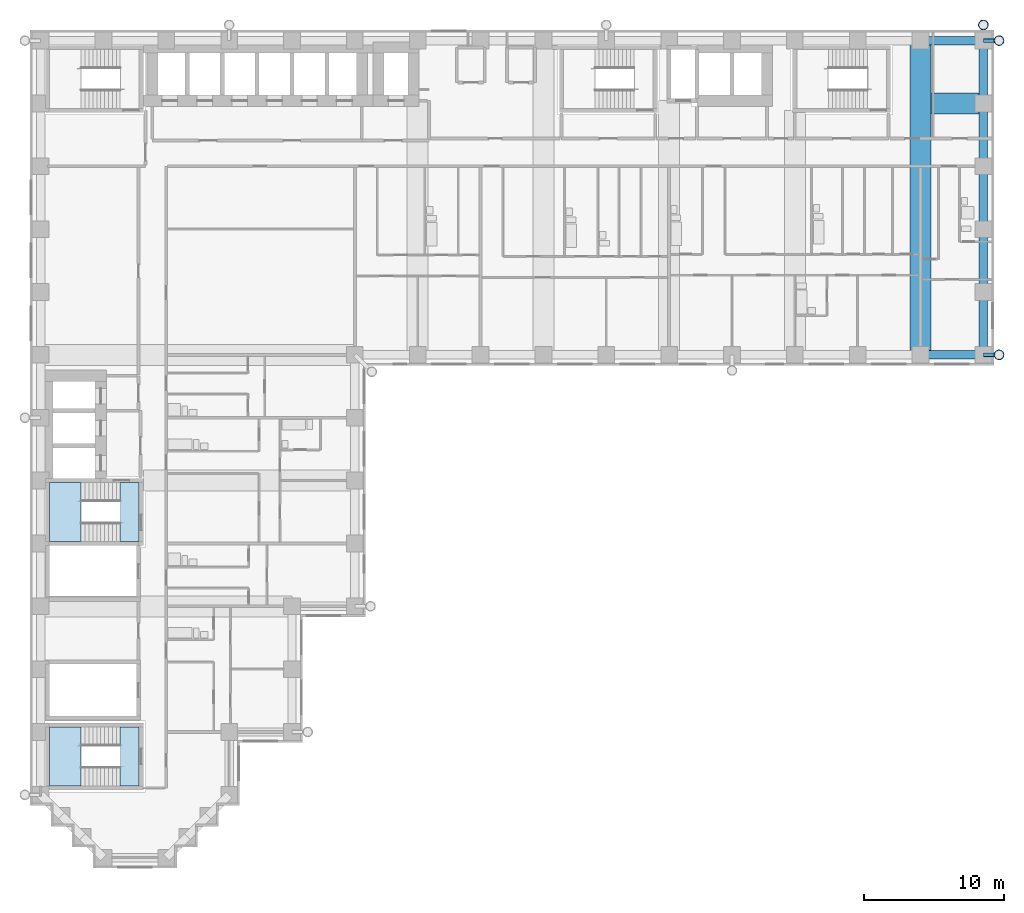
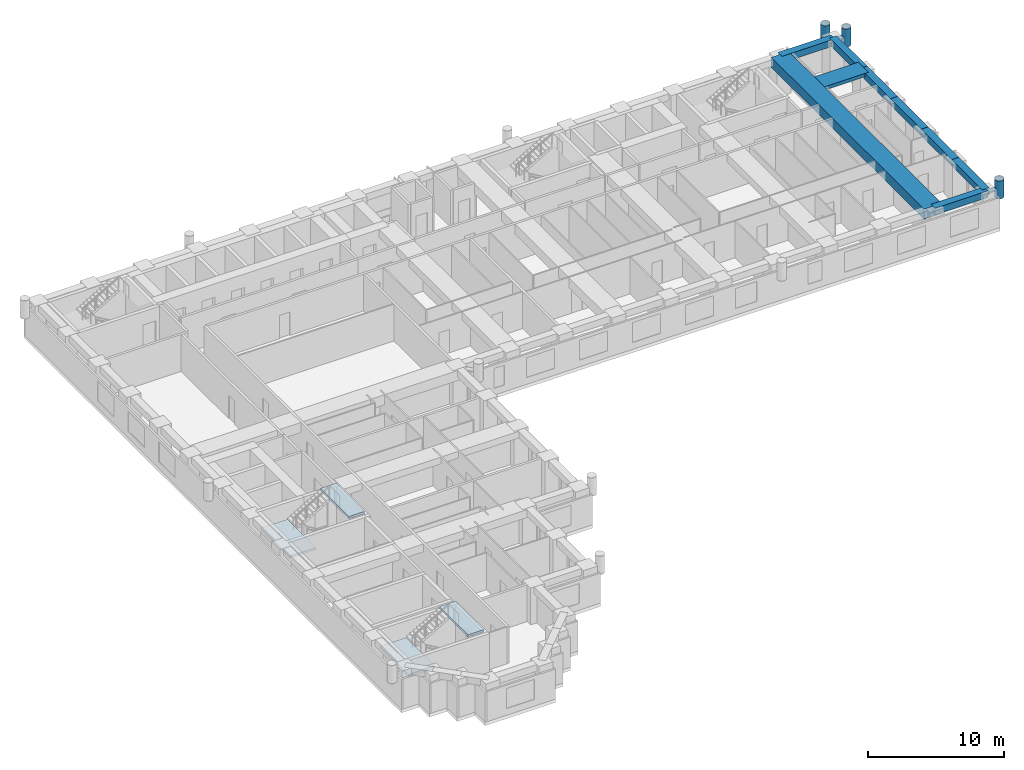
# One storey, part 3 of 14: 9 beams, 5 members, 4 slabs, 2 elements without a shape of their own.
"""IFC4 building model written with IfcOpenShell, lengths in metres."""

from ifc_helpers import new_model, si_unit, direction, frame, origin, origin_2d, place, context, subcontext, project, spatial, polyline, rectangle, hollow_circle, outline, extrude, material, layer, layer_set, material_profile, profile_set, type_object, element, aggregate, save


model = new_model("IFC4")

# Units and contexts
model_context = context("Model", 3, precision=1e-05, world=origin(), true_north=direction((0.0, 1.0)))
body_context = subcontext(model_context, "Body", "Model", "MODEL_VIEW")
ifc_project = project(units=[si_unit("LENGTHUNIT", "METRE"), si_unit("AREAUNIT", "SQUARE_METRE"), si_unit("VOLUMEUNIT", "CUBIC_METRE"), si_unit("PLANEANGLEUNIT", "RADIAN"), si_unit("MASSUNIT", "GRAM", prefix="KILO")], contexts=[model_context])

# Site, building, storey
site_placement = place(None, origin())
site = spatial("IfcSite", under=ifc_project, at=site_placement, CompositionType="ELEMENT")
building_placement = place(site_placement, origin())
building = spatial("IfcBuilding", under=site, at=building_placement, Name="Firuza Court", CompositionType="ELEMENT")
storey_placement = place(building_placement, frame((0.0, 0.0, 90.199951171875)))
storey = spatial("IfcBuildingStorey", under=building, at=storey_placement, Name="L22", CompositionType="ELEMENT", Elevation=90.199951171875)

# Beams
ifc_material_1 = material(Name="Concrete C40/50", Category="concrete")
ifc_material_profile_1 = material_profile(ifc_material_1, rectangle(XDim=1.5, YDim=0.300048828125, at=origin_2d()), Name="RC 1500x300")
ifc_profile_set_1 = profile_set([ifc_material_profile_1], Name="Concrete C40/50")
beam_type_1 = type_object("IfcBeamType", Name="Band beam RC 1500x300 C40/50", PredefinedType="BEAM", material=ifc_profile_set_1)
beam_1_placement = place(storey_placement, frame((67.5, 54.0, 3.150146484375), z_axis=(-1.0, 0.0, 0.0), x_axis=(0.0, -1.0, 0.0)))
element("IfcBeam", 1, at=beam_1_placement, inside=storey, type_object=beam_type_1, Name="Band beam FB6 level L23", PredefinedType="BEAM", context=body_context, shape_type="SweptSolid", body=[
    extrude(rectangle(XDim=1.5, YDim=0.300048828125, at=origin_2d()), origin(), (0.0, 0.0, 1.0), 3.75),
])
ifc_material_2 = material(Name="Concrete C40/50", Category="concrete")
ifc_material_profile_2 = material_profile(ifc_material_2, rectangle(XDim=1.5, YDim=0.89990234375, at=origin_2d()), Name="RC 1500x900")
ifc_profile_set_2 = profile_set([ifc_material_profile_2], Name="Concrete C40/50")
beam_type_2 = type_object("IfcBeamType", Name="Band beam RC 1500x900 C40/50", PredefinedType="BEAM", material=ifc_profile_set_2)
beam_2_placement = place(storey_placement, frame((63.0, 36.0, 2.85009765625), z_axis=(0.0, 1.0, 0.0), x_axis=(-1.0, 0.0, 0.0)))
element("IfcBeam", 2, at=beam_2_placement, inside=storey, type_object=beam_type_2, Name="Band beam FB2 level L23", PredefinedType="BEAM", context=body_context, shape_type="SweptSolid", body=[
    extrude(rectangle(XDim=1.5, YDim=0.89990234375, at=origin_2d()), origin(), (0.0, 0.0, 1.0), 22.5),
])

# Members
ifc_material_3 = material(Name="Steel S355", Category="steel")
ifc_material_profile_3 = material_profile(ifc_material_3, hollow_circle(Radius=0.35546875, WallThickness=0.030029296875, at=origin_2d()), Name="CHS 711x30")
ifc_profile_set_3 = profile_set([ifc_material_profile_3], Name="Steel S355")
member_type_1 = type_object("IfcMemberType", Name="Diagrid node CHS 711x30 S355", PredefinedType="USERDEFINED", material=ifc_profile_set_3)
for number, where, z_axis, x_axis, name in (
    (3, (67.5, 59.6201171875, 2.25), (0.0, 0.0, 1.0), (1.0, 0.0, 0.0), "Diagrid node level L22"),
    (4, (68.6201171875, 36.0, 2.25), (0.0, 0.0, 1.0), (1.0, 0.0, 0.0), "Diagrid node level L22"),
    (5, (68.6201171875, 58.5, 2.25), (0.0, 0.0, 1.0), (1.0, 0.0, 0.0), "Diagrid node level L22"),
):
    element("IfcMember", number, at=place(storey_placement, frame(where, z_axis=z_axis, x_axis=x_axis)), inside=storey, type_object=member_type_1, Name=name, ObjectType="DIAGRID NODE", PredefinedType="USERDEFINED", context=body_context, shape_type="SweptSolid", body=[
        extrude(hollow_circle(Radius=0.35546875, WallThickness=0.030029296875, at=origin_2d()), origin(), (0.0, 0.0, 1.0), 1.60009765625),
    ])
ifc_material_4 = material(Name="Steel S355", Category="steel")
ifc_material_profile_4 = material_profile(ifc_material_4, hollow_circle(Radius=0.136474609375, WallThickness=0.012451171875, at=origin_2d()), Name="CHS 273x12.5")
ifc_profile_set_4 = profile_set([ifc_material_profile_4], Name="Steel S355")
member_type_2 = type_object("IfcMemberType", Name="Diagrid tie CHS 273x12.5 S355", PredefinedType="STRUT", material=ifc_profile_set_4)
for number, where, z_axis, x_axis, name in (
    (6, (67.5, 36.0, 3.050048828125), (1.0, 0.0, 0.0), (0.0, 1.0, 0.0), "Diagrid tie level L23"),
    (7, (67.5, 58.5, 3.050048828125), (1.0, 0.0, 0.0), (0.0, 1.0, 0.0), "Diagrid tie level L23"),
):
    element("IfcMember", number, at=place(storey_placement, frame(where, z_axis=z_axis, x_axis=x_axis)), inside=storey, type_object=member_type_2, Name=name, PredefinedType="STRUT", context=body_context, shape_type="SweptSolid", body=[
        extrude(hollow_circle(Radius=0.136474609375, WallThickness=0.012451171875, at=origin_2d()), origin(), (0.0, 0.0, 1.0), 1.1201171875),
    ])

# Beams
ifc_material_5 = material(Name="Concrete C40/50", Category="concrete")
ifc_material_profile_5 = material_profile(ifc_material_5, rectangle(XDim=0.60009765625, YDim=0.60009765625, at=origin_2d()), Name="RC 600x600")
ifc_profile_set_5 = profile_set([ifc_material_profile_5], Name="Concrete C40/50")
beam_type_3 = type_object("IfcBeamType", Name="Spandrel beam RC 600x600 C40/50", PredefinedType="BEAM", material=ifc_profile_set_5)
for number, where, z_axis, x_axis, name in (
    (8, (63.0, 36.0, 3.0), (1.0, 0.0, 0.0), (0.0, 1.0, 0.0), "Spandrel beam SP11 level L23"),
    (9, (67.5, 36.0, 3.0), (0.0, 1.0, 0.0), (-1.0, 0.0, 0.0), "Spandrel beam SP11 level L23"),
    (10, (67.5, 40.5, 3.0), (0.0, 1.0, 0.0), (-1.0, 0.0, 0.0), "Spandrel beam SP11 level L23"),
    (11, (67.5, 45.0, 3.0), (0.0, 1.0, 0.0), (-1.0, 0.0, 0.0), "Spandrel beam SP11 level L23"),
    (12, (67.5, 49.5, 3.0), (0.0, 1.0, 0.0), (-1.0, 0.0, 0.0), "Spandrel beam SP11 level L23"),
    (13, (67.5, 54.0, 3.0), (0.0, 1.0, 0.0), (-1.0, 0.0, 0.0), "Spandrel beam SP11 level L23"),
    (14, (67.5, 58.5, 3.0), (-1.0, 0.0, 0.0), (0.0, -1.0, 0.0), "Spandrel beam SP11 level L23"),
):
    element("IfcBeam", number, at=place(storey_placement, frame(where, z_axis=z_axis, x_axis=x_axis)), inside=storey, type_object=beam_type_3, Name=name, PredefinedType="BEAM", context=body_context, shape_type="SweptSolid", body=[
        extrude(rectangle(XDim=0.60009765625, YDim=0.60009765625, at=origin_2d()), origin(), (0.0, 0.0, 1.0), 4.5),
    ])

# Stair, slabs
ifc_material_6 = material(Name="Concrete C40/50 precast", Category="concrete")
stair_type = type_object("IfcStairType", Name="Stair 1350 x 3600 2 flights", PredefinedType="HALF_TURN_STAIR", material=ifc_material_6)
stair_1_placement = place(storey_placement, origin())
stair_1 = element("IfcStair", 15, at=stair_1_placement, inside=storey, type_object=stair_type, Name="Stair 2 L22", PredefinedType="HALF_TURN_STAIR")
ifc_material_7 = material(Name="Concrete C40/50 precast", Category="concrete")
ifc_layer = layer(ifc_material_7, 0.199951171875)
ifc_layer_set = layer_set([ifc_layer], Name="Concrete C40/50 precast")
slab_type = type_object("IfcSlabType", Name="Stair landing 200", PredefinedType="LANDING", material=ifc_layer_set)
slab_1_placement = place(storey_placement, frame((0.0, 0.0, 1.60009765625)))
slab_1 = element("IfcSlab", 16, at=slab_1_placement, type_object=slab_type, Name="S2 landing 1", PredefinedType="LANDING", context=body_context, shape_type="SweptSolid", body=[
    extrude(outline(polyline([(2.89990234375, 22.64990234375), (2.89990234375, 26.85009765625), (0.64990234375, 26.85009765625), (0.64990234375, 22.64990234375), (2.89990234375, 22.64990234375)])), origin(), (0.0, 0.0, 1.0), 0.199951171875),
])
slab_2_placement = place(storey_placement, frame((0.0, 0.0, 3.400146484375)))
slab_2 = element("IfcSlab", 17, at=slab_2_placement, type_object=slab_type, Name="S2 landing 2", PredefinedType="LANDING", context=body_context, shape_type="SweptSolid", body=[
    extrude(outline(polyline([(7.050048828125, 22.64990234375), (7.050048828125, 26.85009765625), (5.699951171875, 26.85009765625), (5.699951171875, 22.64990234375), (7.050048828125, 22.64990234375)])), origin(), (0.0, 0.0, 1.0), 0.199951171875),
])
aggregate(stair_1, [slab_1, slab_2])

stair_2_placement = place(storey_placement, origin())
stair_2 = element("IfcStair", 18, at=stair_2_placement, inside=storey, type_object=stair_type, Name="Stair 5 L22", PredefinedType="HALF_TURN_STAIR")
slab_3_placement = place(storey_placement, frame((0.0, 0.0, 1.60009765625)))
slab_3 = element("IfcSlab", 19, at=slab_3_placement, type_object=slab_type, Name="S5 landing 1", PredefinedType="LANDING", context=body_context, shape_type="SweptSolid", body=[
    extrude(outline(polyline([(2.89990234375, 5.14990234375), (2.89990234375, 9.35009765625), (0.64990234375, 9.35009765625), (0.64990234375, 5.14990234375), (2.89990234375, 5.14990234375)])), origin(), (0.0, 0.0, 1.0), 0.199951171875),
])
slab_4_placement = place(storey_placement, frame((0.0, 0.0, 3.400146484375)))
slab_4 = element("IfcSlab", 20, at=slab_4_placement, type_object=slab_type, Name="S5 landing 2", PredefinedType="LANDING", context=body_context, shape_type="SweptSolid", body=[
    extrude(outline(polyline([(7.050048828125, 5.14990234375), (7.050048828125, 9.35009765625), (5.699951171875, 9.35009765625), (5.699951171875, 5.14990234375), (7.050048828125, 5.14990234375)])), origin(), (0.0, 0.0, 1.0), 0.199951171875),
])
aggregate(stair_2, [slab_3, slab_4])

save(model, "model.ifc")
